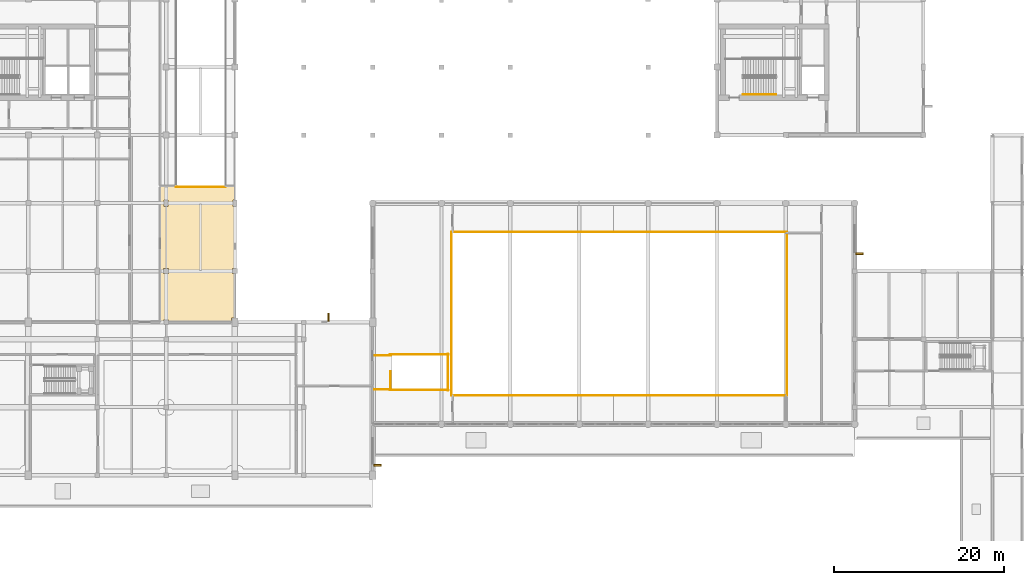
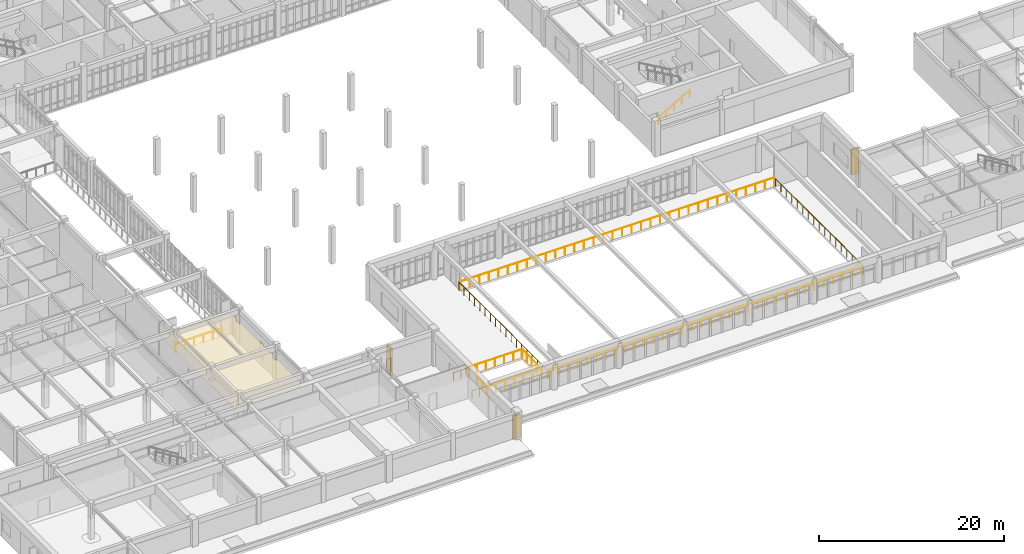
# One storey, part 55 of 61: 12 railings, 3 shading devices, 1 covering.
"""IFC4 building model written with IfcOpenShell, lengths in metres."""

import ifcopenshell
import ifcopenshell.guid

model = None  # the IFC model being written
_history = None  # IfcOwnerHistory: only IFC2X3 demands one
_inside = {}  # id of a spatial element -> (the spatial element, [elements in it])
_under = {}  # id of a project, library or spatial element -> (it, [spatial elements below it])
_declared = {}  # id of a project -> (the project, [libraries it declares])
_typed = {}  # id of a type object -> (the type object, [elements of that type])
_made_of = {}  # id of a material, layer set ... -> (it, [elements and type objects made of it])


def new_model(schema):
    """Start an empty IFC model of exactly this schema.

    Asked for "IFC4X3", IfcOpenShell would pick the latest addendum, in which some entities
    have other attributes; the version numbers below select the first issue.
    IFC2X3 requires an IfcOwnerHistory on every rooted entity: one is made here for all.
    """
    global model, _history
    if schema == "IFC4X3":
        model = ifcopenshell.file(schema_version=(4, 3, 0, 0))
    else:
        model = ifcopenshell.file(schema=schema)
    _inside.clear()
    _under.clear()
    _declared.clear()
    _typed.clear()
    _made_of.clear()
    _history = None
    if model.schema == "IFC2X3":
        org = make("IfcOrganization", Name="unknown")
        user = make(
            "IfcPersonAndOrganization",
            ThePerson=make("IfcPerson", FamilyName="unknown"),
            TheOrganization=org,
        )
        app = make(
            "IfcApplication",
            ApplicationDeveloper=org,
            Version="unknown",
            ApplicationFullName="unknown",
            ApplicationIdentifier="unknown",
        )
        _history = make(
            "IfcOwnerHistory",
            OwningUser=user,
            OwningApplication=app,
            ChangeAction="ADDED",
            CreationDate=0,
        )
    return model


def make(cls, **values):
    """One entity of the class cls with the attributes given. An attribute that is None is left unset."""
    return model.create_entity(
        cls, **{name: value for name, value in values.items() if value is not None}
    )


def rooted(cls, **values):
    """An entity with a GlobalId (a new one), such as an element, a storey or a relation."""
    return make(cls, GlobalId=ifcopenshell.guid.new(), OwnerHistory=_history, **values)


def si_unit(unit_type, name, prefix=None):
    """IfcSIUnit, for example si_unit("LENGTHUNIT", "METRE", prefix="MILLI")."""
    return make("IfcSIUnit", UnitType=unit_type, Prefix=prefix, Name=name)


def assignment(units):
    """IfcUnitAssignment: the units of a project."""
    return None if units is None else make("IfcUnitAssignment", Units=units)


def point(xyz):
    """IfcCartesianPoint."""
    return None if xyz is None else make("IfcCartesianPoint", Coordinates=xyz)


def direction(xyz):
    """IfcDirection."""
    return None if xyz is None else make("IfcDirection", DirectionRatios=xyz)


def frame(location, z_axis=None, x_axis=None):
    """IfcAxis2Placement3D, a coordinate frame: its origin and axes. An axis left out is left unset."""
    return make(
        "IfcAxis2Placement3D",
        Location=point(location),
        Axis=direction(z_axis),
        RefDirection=direction(x_axis),
    )


def frame_2d(location, x_axis=None):
    """IfcAxis2Placement2D, a coordinate frame in the plane: its origin and x axis."""
    return make(
        "IfcAxis2Placement2D", Location=point(location), RefDirection=direction(x_axis)
    )


def origin():
    """The frame at (0, 0, 0) with its axes left unset."""
    return frame((0.0, 0.0, 0.0))


def origin_2d():
    """The frame at (0, 0) in the plane with its x axis left unset."""
    return frame_2d((0.0, 0.0))


def place(relative_to, where):
    """IfcLocalPlacement: puts the frame where relative to a parent placement (None: the world)."""
    return make(
        "IfcLocalPlacement", PlacementRelTo=relative_to, RelativePlacement=where
    )


def context(
    kind, dimensions, precision=None, world=None, true_north=None, identifier=None
):
    """IfcGeometricRepresentationContext, for example the 3D "Model" context."""
    return make(
        "IfcGeometricRepresentationContext",
        ContextIdentifier=identifier,
        ContextType=kind,
        CoordinateSpaceDimension=dimensions,
        Precision=precision,
        WorldCoordinateSystem=world,
        TrueNorth=true_north,
    )


def subcontext(parent, identifier, kind, view, scale=None):
    """IfcGeometricRepresentationSubContext, for example "Body" below "Model"."""
    return make(
        "IfcGeometricRepresentationSubContext",
        ContextIdentifier=identifier,
        ContextType=kind,
        ParentContext=parent,
        TargetScale=scale,
        TargetView=view,
    )


def project(units=None, contexts=None):
    """IfcProject with its units and contexts."""
    return rooted(
        "IfcProject",
        Name="project",
        RepresentationContexts=contexts,
        UnitsInContext=assignment(units),
    )


def spatial(cls, under=None, at=None, **own):
    """A site, building, storey or space (cls), placed at a placement, below another one or the project."""
    s = rooted(cls, ObjectPlacement=at, **own)
    if under is not None:
        _under.setdefault(under.id(), (under, []))[1].append(s)
    return s


def polyline(points):
    """IfcPolyline through the points."""
    return make("IfcPolyline", Points=[point(p) for p in points])


def profile(cls, at=None, kind="AREA", **sizes):
    """A parametric profile (cls). Its sizes go by their IFC names, for example OverallWidth=200.0."""
    return make(cls, ProfileType=kind, Position=at, **sizes)


def rectangle(**sizes):
    """IfcRectangleProfileDef."""
    return profile("IfcRectangleProfileDef", **sizes)


def circle(**sizes):
    """IfcCircleProfileDef."""
    return profile("IfcCircleProfileDef", **sizes)


def outline(outer, holes=None, kind="AREA"):
    """IfcArbitraryClosedProfileDef: a profile drawn as a closed curve; with holes, ...WithVoids."""
    if holes is None:
        return make("IfcArbitraryClosedProfileDef", ProfileType=kind, OuterCurve=outer)
    return make(
        "IfcArbitraryProfileDefWithVoids",
        ProfileType=kind,
        OuterCurve=outer,
        InnerCurves=holes,
    )


def extrude(swept, where, along, depth):
    """IfcExtrudedAreaSolid: the profile swept, set in the frame where, extruded along a direction by depth."""
    return make(
        "IfcExtrudedAreaSolid",
        SweptArea=swept,
        Position=where,
        ExtrudedDirection=direction(along),
        Depth=depth,
    )


def shape(context_of_items, identifier, shape_type, items):
    """IfcShapeRepresentation: the items that make up one representation, for example the "Body"."""
    return make(
        "IfcShapeRepresentation",
        ContextOfItems=context_of_items,
        RepresentationIdentifier=identifier,
        RepresentationType=shape_type,
        Items=items,
    )


def material(Name=None, Category=None):
    """IfcMaterial."""
    return make("IfcMaterial", Name=Name, Category=Category)


def layer(
    of_material, thickness, ventilated=None, Name=None, Category=None, Priority=None
):
    """IfcMaterialLayer: one layer of a wall or slab, of a material (None: an air gap)."""
    return make(
        "IfcMaterialLayer",
        Material=of_material,
        LayerThickness=thickness,
        IsVentilated=ventilated,
        Name=Name,
        Category=Category,
        Priority=Priority,
    )


def layer_set(layers, Name=None):
    """IfcMaterialLayerSet."""
    return make("IfcMaterialLayerSet", MaterialLayers=layers, LayerSetName=Name)


def material_profile(
    of_material, cross_section, Name=None, Category=None, Priority=None
):
    """IfcMaterialProfile: a cross section and its material."""
    return make(
        "IfcMaterialProfile",
        Name=Name,
        Material=of_material,
        Profile=cross_section,
        Priority=Priority,
        Category=Category,
    )


def profile_set(profiles, Name=None, composite=None):
    """IfcMaterialProfileSet."""
    return make(
        "IfcMaterialProfileSet",
        Name=Name,
        MaterialProfiles=profiles,
        CompositeProfile=composite,
    )


def made_of(thing, what):
    """Note that an element or type object is made of a material, layer set ...; save() writes the relation."""
    if what is not None:
        _made_of.setdefault(what.id(), (what, []))[1].append(thing)
    return thing


def type_object(cls, material=None, **own):
    """A type object (cls), such as IfcWallType, which elements share."""
    return made_of(rooted(cls, **own), material)


def element(
    cls,
    number,
    at=None,
    inside=None,
    cuts=None,
    type_object=None,
    material=None,
    context=None,
    identifier="Body",
    shape_type=None,
    held_by="IfcProductDefinitionShape",
    body=None,
    shapes=None,
    **own,
):
    """One element of the class cls, such as IfcWall. Its Tag is "e" and its number.

    at: its placement. inside: the storey or other place that contains it. cuts: it is an
    opening in that element (IfcRelVoidsElement). A single representation is given by context,
    identifier, shape_type and body (its items); several are given by shapes. held_by: the class
    of the entity that holds the representations. save() writes the other relations.
    """
    e = rooted(cls, Tag="e%d" % number, ObjectPlacement=at, **own)
    if body is not None:
        shapes = [shape(context, identifier, shape_type, body)]
    if shapes is not None:
        e.Representation = make(held_by, Representations=shapes)
    if inside is not None:
        _inside.setdefault(inside.id(), (inside, []))[1].append(e)
    if cuts is not None:
        rooted(
            "IfcRelVoidsElement", RelatingBuildingElement=cuts, RelatedOpeningElement=e
        )
    if type_object is not None:
        _typed.setdefault(type_object.id(), (type_object, []))[1].append(e)
    return made_of(e, material)


def aggregate(whole, parts):
    """IfcRelAggregates: a whole, such as a stair, and the parts it consists of."""
    return rooted("IfcRelAggregates", RelatingObject=whole, RelatedObjects=parts)


def save(model, path):
    """Write the relations noted so far, then the file.

    IfcRelAggregates (storeys below a building ...), IfcRelContainedInSpatialStructure (elements
    in a storey), IfcRelDefinesByType, IfcRelAssociatesMaterial and IfcRelDeclares: one each for
    every whole, place, type object, material and project.
    """
    for whole, parts in _under.values():
        aggregate(whole, parts)
    for where, things in _inside.values():
        rooted(
            "IfcRelContainedInSpatialStructure",
            RelatedElements=things,
            RelatingStructure=where,
        )
    for kind, things in _typed.values():
        rooted("IfcRelDefinesByType", RelatedObjects=things, RelatingType=kind)
    for what, things in _made_of.values():
        rooted("IfcRelAssociatesMaterial", RelatedObjects=things, RelatingMaterial=what)
    for by, libraries in _declared.values():
        rooted("IfcRelDeclares", RelatingContext=by, RelatedDefinitions=libraries)
    model.write(path)


model = new_model("IFC4")

# Units and contexts
model_context = context("Model", 3, precision=1e-05, world=origin(), true_north=direction((0.0, 1.0)))
body_context = subcontext(model_context, "Body", "Model", "MODEL_VIEW")
ifc_project = project(units=[si_unit("LENGTHUNIT", "METRE"), si_unit("AREAUNIT", "SQUARE_METRE"), si_unit("VOLUMEUNIT", "CUBIC_METRE"), si_unit("PLANEANGLEUNIT", "RADIAN"), si_unit("MASSUNIT", "GRAM", prefix="KILO")], contexts=[model_context])

# Site, building, storey
site_placement = place(None, origin())
site = spatial("IfcSite", under=ifc_project, at=site_placement, CompositionType="ELEMENT")
building_placement = place(site_placement, origin())
building = spatial("IfcBuilding", under=site, at=building_placement, Name="Tarnveldt Square Police Headquarters", CompositionType="ELEMENT")
storey_placement = place(building_placement, frame((0.0, 0.0, 5.39990234375)))
storey = spatial("IfcBuildingStorey", under=building, at=storey_placement, Name="L01", CompositionType="ELEMENT", Elevation=5.39990234375)

# Covering
ifc_material_1 = material(Name="Mineral-fibre acoustic ceiling tile", Category="gypsum")
ifc_layer = layer(ifc_material_1, 0.02001953125)
ifc_layer_set = layer_set([ifc_layer], Name="Mineral-fibre acoustic ceiling tile")
covering_type = type_object("IfcCoveringType", Name="COV-CEIL-20", PredefinedType="CEILING", material=ifc_layer_set)
covering_placement = place(storey_placement, frame((0.0, 0.0, 2.75)))
element("IfcCovering", 1, at=covering_placement, inside=storey, type_object=covering_type, Name="Public Police Museum Reading Room Acoustic Ceiling", PredefinedType="CEILING", context=body_context, shape_type="SweptSolid", body=[
    extrude(outline(polyline([(48.550048828125, 34.501953125), (48.222900390625, 34.501953125), (48.222900390625, 34.050048828125), (40.777099609375, 34.050048828125), (40.777099609375, 34.277099609375), (40.222900390625, 34.277099609375), (40.222900390625, 34.050048828125), (39.85009765625, 34.050048828125), (39.85009765625, 49.949951171875), (48.550048828125, 49.949951171875), (48.550048828125, 48.376953125), (48.347900390625, 48.376953125), (48.347900390625, 47.623046875), (48.550048828125, 47.623046875), (48.550048828125, 40.302001953125), (48.298095703125, 40.302001953125), (48.298095703125, 39.697998046875), (48.550048828125, 39.697998046875), (48.550048828125, 34.501953125)]), holes=[polyline([(40.197998046875, 40.302001953125), (40.197998046875, 39.697998046875), (40.802001953125, 39.697998046875), (40.802001953125, 40.302001953125), (40.197998046875, 40.302001953125)]), polyline([(40.751953125, 48.376953125), (40.248046875, 48.376953125), (40.248046875, 47.623046875), (40.751953125, 47.623046875), (40.751953125, 48.376953125)])]), origin(), (0.0, 0.0, 1.0), 0.02001953125),
])

# Railings
ifc_material_2 = material(Name="Steel 350W", Category="steel")
railing_type_1 = type_object("IfcRailingType", Name="RL-GR-1100", PredefinedType="GUARDRAIL", material=ifc_material_2)
railing_1_placement = place(storey_placement, frame((66.89990234375, 26.050048828125, 0.0)))
element("IfcRailing", 2, at=railing_1_placement, inside=storey, type_object=railing_type_1, Name="L01 ST5 top well guard 1", PredefinedType="GUARDRAIL", context=body_context, shape_type="SweptSolid", body=[
    extrude(circle(Radius=0.02392578125, at=origin_2d()), frame((0.0, 0.0, 1.076171875), z_axis=(0.0, 1.0, 0.0), x_axis=(-1.0, 0.0, 0.0)), (0.0, 0.0, 1.0), 2.14990234375),
    extrude(circle(Radius=0.02099609375, at=origin_2d()), origin(), (0.0, 0.0, 1.0), 1.052001953125),
    extrude(circle(Radius=0.02099609375, at=origin_2d()), frame((0.0, 1.074951171875, 0.0)), (0.0, 0.0, 1.0), 1.052001953125),
    extrude(circle(Radius=0.02099609375, at=origin_2d()), frame((0.0, 2.14990234375, 0.0)), (0.0, 0.0, 1.0), 1.052001953125),
])
for number, where, name in (
    (3, (66.85009765625, 26.0, 0.0), "L01 ST5 top well guard 2"),
    (4, (66.85009765625, 30.199951171875, 0.0), "L01 ST5 top well guard 3"),
):
    element("IfcRailing", number, at=place(storey_placement, frame(where)), inside=storey, type_object=railing_type_1, Name=name, PredefinedType="GUARDRAIL", context=body_context, shape_type="SweptSolid", body=[
        extrude(circle(Radius=0.02392578125, at=origin_2d()), frame((0.0, 0.0, 1.076171875), z_axis=(1.0, 0.0, 0.0), x_axis=(0.0, 1.0, 0.0)), (0.0, 0.0, 1.0), 6.849853515625),
        extrude(circle(Radius=0.02099609375, at=origin_2d()), origin(), (0.0, 0.0, 1.0), 1.052001953125),
        extrude(circle(Radius=0.02099609375, at=origin_2d()), frame((1.1416015625, 0.0, 0.0)), (0.0, 0.0, 1.0), 1.052001953125),
        extrude(circle(Radius=0.02099609375, at=origin_2d()), frame((2.283203125, 0.0, 0.0)), (0.0, 0.0, 1.0), 1.052001953125),
        extrude(circle(Radius=0.02099609375, at=origin_2d()), frame((3.4248046875, 0.0, 0.0)), (0.0, 0.0, 1.0), 1.052001953125),
        extrude(circle(Radius=0.02099609375, at=origin_2d()), frame((4.566650390625, 0.0, 0.0)), (0.0, 0.0, 1.0), 1.052001953125),
        extrude(circle(Radius=0.02099609375, at=origin_2d()), frame((5.708251953125, 0.0, 0.0)), (0.0, 0.0, 1.0), 1.052001953125),
        extrude(circle(Radius=0.02099609375, at=origin_2d()), frame((6.849853515625, 0.0, 0.0)), (0.0, 0.0, 1.0), 1.052001953125),
    ])
railing_2_placement = place(storey_placement, frame((73.64990234375, 25.949951171875, 0.0)))
element("IfcRailing", 5, at=railing_2_placement, inside=storey, type_object=railing_type_1, Name="L01 ST5 top well guard 4", PredefinedType="GUARDRAIL", context=body_context, shape_type="SweptSolid", body=[
    extrude(circle(Radius=0.02392578125, at=origin_2d()), frame((0.0, 0.0, 1.076171875), z_axis=(0.0, 1.0, 0.0), x_axis=(-1.0, 0.0, 0.0)), (0.0, 0.0, 1.0), 4.300048828125),
    extrude(circle(Radius=0.02099609375, at=origin_2d()), origin(), (0.0, 0.0, 1.0), 1.052001953125),
    extrude(circle(Radius=0.02099609375, at=origin_2d()), frame((0.0, 1.074951171875, 0.0)), (0.0, 0.0, 1.0), 1.052001953125),
    extrude(circle(Radius=0.02099609375, at=origin_2d()), frame((0.0, 2.14990234375, 0.0)), (0.0, 0.0, 1.0), 1.052001953125),
    extrude(circle(Radius=0.02099609375, at=origin_2d()), frame((0.0, 3.22509765625, 0.0)), (0.0, 0.0, 1.0), 1.052001953125),
    extrude(circle(Radius=0.02099609375, at=origin_2d()), frame((0.0, 4.300048828125, 0.0)), (0.0, 0.0, 1.0), 1.052001953125),
])
for number, where, name in (
    (6, (65.0, 26.10009765625, 0.0), "L01 ST5 top well guard 5"),
    (7, (65.0, 30.10009765625, 0.0), "L01 ST5 top well guard 6"),
):
    element("IfcRailing", number, at=place(storey_placement, frame(where)), inside=storey, type_object=railing_type_1, Name=name, PredefinedType="GUARDRAIL", context=body_context, shape_type="SweptSolid", body=[
        extrude(circle(Radius=0.02392578125, at=origin_2d()), frame((0.0, 0.0, 1.076171875), z_axis=(1.0, 0.0, 0.0), x_axis=(0.0, 1.0, 0.0)), (0.0, 0.0, 1.0), 1.949951171875),
        extrude(circle(Radius=0.02099609375, at=origin_2d()), origin(), (0.0, 0.0, 1.0), 1.052001953125),
        extrude(circle(Radius=0.02099609375, at=origin_2d()), frame((0.97509765625, 0.0, 0.0)), (0.0, 0.0, 1.0), 1.052001953125),
        extrude(circle(Radius=0.02099609375, at=origin_2d()), frame((1.949951171875, 0.0, 0.0)), (0.0, 0.0, 1.0), 1.052001953125),
    ])
railing_3_placement = place(storey_placement, frame((74.280029296875, 25.3798828125, 0.0)))
element("IfcRailing", 8, at=railing_3_placement, inside=storey, type_object=railing_type_1, Name="L01 V1-ATRIUM Atrium Overlook Guardrail S2", PredefinedType="GUARDRAIL", context=body_context, shape_type="SweptSolid", body=[
    extrude(circle(Radius=0.02392578125, at=origin_2d()), frame((0.0, 0.0, 1.076171875), z_axis=(1.0, 0.0, 0.0), x_axis=(0.0, 1.0, 0.0)), (0.0, 0.0, 1.0), 39.070068359375),
    extrude(circle(Radius=0.02099609375, at=origin_2d()), origin(), (0.0, 0.0, 1.0), 1.052001953125),
    extrude(circle(Radius=0.02099609375, at=origin_2d()), frame((1.183837890625, 0.0, 0.0)), (0.0, 0.0, 1.0), 1.052001953125),
    extrude(circle(Radius=0.02099609375, at=origin_2d()), frame((2.367919921875, 0.0, 0.0)), (0.0, 0.0, 1.0), 1.052001953125),
    extrude(circle(Radius=0.02099609375, at=origin_2d()), frame((3.5517578125, 0.0, 0.0)), (0.0, 0.0, 1.0), 1.052001953125),
    extrude(circle(Radius=0.02099609375, at=origin_2d()), frame((4.73583984375, 0.0, 0.0)), (0.0, 0.0, 1.0), 1.052001953125),
    extrude(circle(Radius=0.02099609375, at=origin_2d()), frame((5.919677734375, 0.0, 0.0)), (0.0, 0.0, 1.0), 1.052001953125),
    extrude(circle(Radius=0.02099609375, at=origin_2d()), frame((7.103759765625, 0.0, 0.0)), (0.0, 0.0, 1.0), 1.052001953125),
    extrude(circle(Radius=0.02099609375, at=origin_2d()), frame((8.28759765625, 0.0, 0.0)), (0.0, 0.0, 1.0), 1.052001953125),
    extrude(circle(Radius=0.02099609375, at=origin_2d()), frame((9.471435546875, 0.0, 0.0)), (0.0, 0.0, 1.0), 1.052001953125),
    extrude(circle(Radius=0.02099609375, at=origin_2d()), frame((10.655517578125, 0.0, 0.0)), (0.0, 0.0, 1.0), 1.052001953125),
    extrude(circle(Radius=0.02099609375, at=origin_2d()), frame((11.83935546875, 0.0, 0.0)), (0.0, 0.0, 1.0), 1.052001953125),
    extrude(circle(Radius=0.02099609375, at=origin_2d()), frame((13.0234375, 0.0, 0.0)), (0.0, 0.0, 1.0), 1.052001953125),
    extrude(circle(Radius=0.02099609375, at=origin_2d()), frame((14.207275390625, 0.0, 0.0)), (0.0, 0.0, 1.0), 1.052001953125),
    extrude(circle(Radius=0.02099609375, at=origin_2d()), frame((15.391357421875, 0.0, 0.0)), (0.0, 0.0, 1.0), 1.052001953125),
    extrude(circle(Radius=0.02099609375, at=origin_2d()), frame((16.5751953125, 0.0, 0.0)), (0.0, 0.0, 1.0), 1.052001953125),
    extrude(circle(Radius=0.02099609375, at=origin_2d()), frame((17.759033203125, 0.0, 0.0)), (0.0, 0.0, 1.0), 1.052001953125),
    extrude(circle(Radius=0.02099609375, at=origin_2d()), frame((18.943115234375, 0.0, 0.0)), (0.0, 0.0, 1.0), 1.052001953125),
    extrude(circle(Radius=0.02099609375, at=origin_2d()), frame((20.126953125, 0.0, 0.0)), (0.0, 0.0, 1.0), 1.052001953125),
    extrude(circle(Radius=0.02099609375, at=origin_2d()), frame((21.31103515625, 0.0, 0.0)), (0.0, 0.0, 1.0), 1.052001953125),
    extrude(circle(Radius=0.02099609375, at=origin_2d()), frame((22.494873046875, 0.0, 0.0)), (0.0, 0.0, 1.0), 1.052001953125),
    extrude(circle(Radius=0.02099609375, at=origin_2d()), frame((23.6787109375, 0.0, 0.0)), (0.0, 0.0, 1.0), 1.052001953125),
    extrude(circle(Radius=0.02099609375, at=origin_2d()), frame((24.86279296875, 0.0, 0.0)), (0.0, 0.0, 1.0), 1.052001953125),
    extrude(circle(Radius=0.02099609375, at=origin_2d()), frame((26.046630859375, 0.0, 0.0)), (0.0, 0.0, 1.0), 1.052001953125),
    extrude(circle(Radius=0.02099609375, at=origin_2d()), frame((27.230712890625, 0.0, 0.0)), (0.0, 0.0, 1.0), 1.052001953125),
    extrude(circle(Radius=0.02099609375, at=origin_2d()), frame((28.41455078125, 0.0, 0.0)), (0.0, 0.0, 1.0), 1.052001953125),
    extrude(circle(Radius=0.02099609375, at=origin_2d()), frame((29.5986328125, 0.0, 0.0)), (0.0, 0.0, 1.0), 1.052001953125),
    extrude(circle(Radius=0.02099609375, at=origin_2d()), frame((30.782470703125, 0.0, 0.0)), (0.0, 0.0, 1.0), 1.052001953125),
    extrude(circle(Radius=0.02099609375, at=origin_2d()), frame((31.96630859375, 0.0, 0.0)), (0.0, 0.0, 1.0), 1.052001953125),
    extrude(circle(Radius=0.02099609375, at=origin_2d()), frame((33.150390625, 0.0, 0.0)), (0.0, 0.0, 1.0), 1.052001953125),
    extrude(circle(Radius=0.02099609375, at=origin_2d()), frame((34.334228515625, 0.0, 0.0)), (0.0, 0.0, 1.0), 1.052001953125),
    extrude(circle(Radius=0.02099609375, at=origin_2d()), frame((35.518310546875, 0.0, 0.0)), (0.0, 0.0, 1.0), 1.052001953125),
    extrude(circle(Radius=0.02099609375, at=origin_2d()), frame((36.7021484375, 0.0, 0.0)), (0.0, 0.0, 1.0), 1.052001953125),
    extrude(circle(Radius=0.02099609375, at=origin_2d()), frame((37.88623046875, 0.0, 0.0)), (0.0, 0.0, 1.0), 1.052001953125),
    extrude(circle(Radius=0.02099609375, at=origin_2d()), frame((39.070068359375, 0.0, 0.0)), (0.0, 0.0, 1.0), 1.052001953125),
])
railing_4_placement = place(storey_placement, frame((113.52001953125, 25.3798828125, 0.0)))
element("IfcRailing", 9, at=railing_4_placement, inside=storey, type_object=railing_type_1, Name="L01 V1-ATRIUM Atrium Overlook Guardrail E1", PredefinedType="GUARDRAIL", context=body_context, shape_type="SweptSolid", body=[
    extrude(circle(Radius=0.02392578125, at=origin_2d()), frame((0.0, 0.0, 1.076171875), z_axis=(0.0, 1.0, 0.0), x_axis=(-1.0, 0.0, 0.0)), (0.0, 0.0, 1.0), 19.0400390625),
    extrude(circle(Radius=0.02099609375, at=origin_2d()), origin(), (0.0, 0.0, 1.0), 1.052001953125),
    extrude(circle(Radius=0.02099609375, at=origin_2d()), frame((0.0, 1.18994140625, 0.0)), (0.0, 0.0, 1.0), 1.052001953125),
    extrude(circle(Radius=0.02099609375, at=origin_2d()), frame((0.0, 2.3798828125, 0.0)), (0.0, 0.0, 1.0), 1.052001953125),
    extrude(circle(Radius=0.02099609375, at=origin_2d()), frame((0.0, 3.570068359375, 0.0)), (0.0, 0.0, 1.0), 1.052001953125),
    extrude(circle(Radius=0.02099609375, at=origin_2d()), frame((0.0, 4.760009765625, 0.0)), (0.0, 0.0, 1.0), 1.052001953125),
    extrude(circle(Radius=0.02099609375, at=origin_2d()), frame((0.0, 5.949951171875, 0.0)), (0.0, 0.0, 1.0), 1.052001953125),
    extrude(circle(Radius=0.02099609375, at=origin_2d()), frame((0.0, 7.14013671875, 0.0)), (0.0, 0.0, 1.0), 1.052001953125),
    extrude(circle(Radius=0.02099609375, at=origin_2d()), frame((0.0, 8.330078125, 0.0)), (0.0, 0.0, 1.0), 1.052001953125),
    extrude(circle(Radius=0.02099609375, at=origin_2d()), frame((0.0, 9.52001953125, 0.0)), (0.0, 0.0, 1.0), 1.052001953125),
    extrude(circle(Radius=0.02099609375, at=origin_2d()), frame((0.0, 10.7099609375, 0.0)), (0.0, 0.0, 1.0), 1.052001953125),
    extrude(circle(Radius=0.02099609375, at=origin_2d()), frame((0.0, 11.89990234375, 0.0)), (0.0, 0.0, 1.0), 1.052001953125),
    extrude(circle(Radius=0.02099609375, at=origin_2d()), frame((0.0, 13.090087890625, 0.0)), (0.0, 0.0, 1.0), 1.052001953125),
    extrude(circle(Radius=0.02099609375, at=origin_2d()), frame((0.0, 14.280029296875, 0.0)), (0.0, 0.0, 1.0), 1.052001953125),
    extrude(circle(Radius=0.02099609375, at=origin_2d()), frame((0.0, 15.469970703125, 0.0)), (0.0, 0.0, 1.0), 1.052001953125),
    extrude(circle(Radius=0.02099609375, at=origin_2d()), frame((0.0, 16.66015625, 0.0)), (0.0, 0.0, 1.0), 1.052001953125),
    extrude(circle(Radius=0.02099609375, at=origin_2d()), frame((0.0, 17.85009765625, 0.0)), (0.0, 0.0, 1.0), 1.052001953125),
    extrude(circle(Radius=0.02099609375, at=origin_2d()), frame((0.0, 19.0400390625, 0.0)), (0.0, 0.0, 1.0), 1.052001953125),
])
railing_5_placement = place(storey_placement, frame((113.52001953125, 44.6201171875, 0.0)))
element("IfcRailing", 10, at=railing_5_placement, inside=storey, type_object=railing_type_1, Name="L01 V1-ATRIUM Atrium Overlook Guardrail N1", PredefinedType="GUARDRAIL", context=body_context, shape_type="SweptSolid", body=[
    extrude(circle(Radius=0.02392578125, at=origin_2d()), frame((0.0, 0.0, 1.076171875), z_axis=(-1.0, 0.0, 0.0), x_axis=(0.0, -1.0, 0.0)), (0.0, 0.0, 1.0), 39.239990234375),
    extrude(circle(Radius=0.02099609375, at=origin_2d()), origin(), (0.0, 0.0, 1.0), 1.052001953125),
    extrude(circle(Radius=0.02099609375, at=origin_2d()), frame((-1.189208984375, 0.0, 0.0)), (0.0, 0.0, 1.0), 1.052001953125),
    extrude(circle(Radius=0.02099609375, at=origin_2d()), frame((-2.378173828125, 0.0, 0.0)), (0.0, 0.0, 1.0), 1.052001953125),
    extrude(circle(Radius=0.02099609375, at=origin_2d()), frame((-3.5673828125, 0.0, 0.0)), (0.0, 0.0, 1.0), 1.052001953125),
    extrude(circle(Radius=0.02099609375, at=origin_2d()), frame((-4.75634765625, 0.0, 0.0)), (0.0, 0.0, 1.0), 1.052001953125),
    extrude(circle(Radius=0.02099609375, at=origin_2d()), frame((-5.945556640625, 0.0, 0.0)), (0.0, 0.0, 1.0), 1.052001953125),
    extrude(circle(Radius=0.02099609375, at=origin_2d()), frame((-7.134521484375, 0.0, 0.0)), (0.0, 0.0, 1.0), 1.052001953125),
    extrude(circle(Radius=0.02099609375, at=origin_2d()), frame((-8.32373046875, 0.0, 0.0)), (0.0, 0.0, 1.0), 1.052001953125),
    extrude(circle(Radius=0.02099609375, at=origin_2d()), frame((-9.5126953125, 0.0, 0.0)), (0.0, 0.0, 1.0), 1.052001953125),
    extrude(circle(Radius=0.02099609375, at=origin_2d()), frame((-10.701904296875, 0.0, 0.0)), (0.0, 0.0, 1.0), 1.052001953125),
    extrude(circle(Radius=0.02099609375, at=origin_2d()), frame((-11.890869140625, 0.0, 0.0)), (0.0, 0.0, 1.0), 1.052001953125),
    extrude(circle(Radius=0.02099609375, at=origin_2d()), frame((-13.080078125, 0.0, 0.0)), (0.0, 0.0, 1.0), 1.052001953125),
    extrude(circle(Radius=0.02099609375, at=origin_2d()), frame((-14.26904296875, 0.0, 0.0)), (0.0, 0.0, 1.0), 1.052001953125),
    extrude(circle(Radius=0.02099609375, at=origin_2d()), frame((-15.458251953125, 0.0, 0.0)), (0.0, 0.0, 1.0), 1.052001953125),
    extrude(circle(Radius=0.02099609375, at=origin_2d()), frame((-16.647216796875, 0.0, 0.0)), (0.0, 0.0, 1.0), 1.052001953125),
    extrude(circle(Radius=0.02099609375, at=origin_2d()), frame((-17.83642578125, 0.0, 0.0)), (0.0, 0.0, 1.0), 1.052001953125),
    extrude(circle(Radius=0.02099609375, at=origin_2d()), frame((-19.025390625, 0.0, 0.0)), (0.0, 0.0, 1.0), 1.052001953125),
    extrude(circle(Radius=0.02099609375, at=origin_2d()), frame((-20.214599609375, 0.0, 0.0)), (0.0, 0.0, 1.0), 1.052001953125),
    extrude(circle(Radius=0.02099609375, at=origin_2d()), frame((-21.403564453125, 0.0, 0.0)), (0.0, 0.0, 1.0), 1.052001953125),
    extrude(circle(Radius=0.02099609375, at=origin_2d()), frame((-22.5927734375, 0.0, 0.0)), (0.0, 0.0, 1.0), 1.052001953125),
    extrude(circle(Radius=0.02099609375, at=origin_2d()), frame((-23.78173828125, 0.0, 0.0)), (0.0, 0.0, 1.0), 1.052001953125),
    extrude(circle(Radius=0.02099609375, at=origin_2d()), frame((-24.970947265625, 0.0, 0.0)), (0.0, 0.0, 1.0), 1.052001953125),
    extrude(circle(Radius=0.02099609375, at=origin_2d()), frame((-26.159912109375, 0.0, 0.0)), (0.0, 0.0, 1.0), 1.052001953125),
    extrude(circle(Radius=0.02099609375, at=origin_2d()), frame((-27.34912109375, 0.0, 0.0)), (0.0, 0.0, 1.0), 1.052001953125),
    extrude(circle(Radius=0.02099609375, at=origin_2d()), frame((-28.5380859375, 0.0, 0.0)), (0.0, 0.0, 1.0), 1.052001953125),
    extrude(circle(Radius=0.02099609375, at=origin_2d()), frame((-29.727294921875, 0.0, 0.0)), (0.0, 0.0, 1.0), 1.052001953125),
    extrude(circle(Radius=0.02099609375, at=origin_2d()), frame((-30.916259765625, 0.0, 0.0)), (0.0, 0.0, 1.0), 1.052001953125),
    extrude(circle(Radius=0.02099609375, at=origin_2d()), frame((-32.10546875, 0.0, 0.0)), (0.0, 0.0, 1.0), 1.052001953125),
    extrude(circle(Radius=0.02099609375, at=origin_2d()), frame((-33.29443359375, 0.0, 0.0)), (0.0, 0.0, 1.0), 1.052001953125),
    extrude(circle(Radius=0.02099609375, at=origin_2d()), frame((-34.483642578125, 0.0, 0.0)), (0.0, 0.0, 1.0), 1.052001953125),
    extrude(circle(Radius=0.02099609375, at=origin_2d()), frame((-35.672607421875, 0.0, 0.0)), (0.0, 0.0, 1.0), 1.052001953125),
    extrude(circle(Radius=0.02099609375, at=origin_2d()), frame((-36.86181640625, 0.0, 0.0)), (0.0, 0.0, 1.0), 1.052001953125),
    extrude(circle(Radius=0.02099609375, at=origin_2d()), frame((-38.05078125, 0.0, 0.0)), (0.0, 0.0, 1.0), 1.052001953125),
    extrude(circle(Radius=0.02099609375, at=origin_2d()), frame((-39.239990234375, 0.0, 0.0)), (0.0, 0.0, 1.0), 1.052001953125),
])
railing_6_placement = place(storey_placement, frame((74.080078125, 44.6201171875, 0.0)))
element("IfcRailing", 11, at=railing_6_placement, inside=storey, type_object=railing_type_1, Name="L01 V1-ATRIUM Atrium Overlook Guardrail W1", PredefinedType="GUARDRAIL", context=body_context, shape_type="SweptSolid", body=[
    extrude(circle(Radius=0.02392578125, at=origin_2d()), frame((0.0, 0.0, 1.076171875), z_axis=(0.0, -1.0, 0.0), x_axis=(1.0, 0.0, 0.0)), (0.0, 0.0, 1.0), 19.240234375),
    extrude(circle(Radius=0.02099609375, at=origin_2d()), origin(), (0.0, 0.0, 1.0), 1.052001953125),
    extrude(circle(Radius=0.02099609375, at=origin_2d()), frame((0.0, -1.1318359375, 0.0)), (0.0, 0.0, 1.0), 1.052001953125),
    extrude(circle(Radius=0.02099609375, at=origin_2d()), frame((0.0, -2.263671875, 0.0)), (0.0, 0.0, 1.0), 1.052001953125),
    extrude(circle(Radius=0.02099609375, at=origin_2d()), frame((0.0, -3.395263671875, 0.0)), (0.0, 0.0, 1.0), 1.052001953125),
    extrude(circle(Radius=0.02099609375, at=origin_2d()), frame((0.0, -4.527099609375, 0.0)), (0.0, 0.0, 1.0), 1.052001953125),
    extrude(circle(Radius=0.02099609375, at=origin_2d()), frame((0.0, -5.658935546875, 0.0)), (0.0, 0.0, 1.0), 1.052001953125),
    extrude(circle(Radius=0.02099609375, at=origin_2d()), frame((0.0, -6.790771484375, 0.0)), (0.0, 0.0, 1.0), 1.052001953125),
    extrude(circle(Radius=0.02099609375, at=origin_2d()), frame((0.0, -7.92236328125, 0.0)), (0.0, 0.0, 1.0), 1.052001953125),
    extrude(circle(Radius=0.02099609375, at=origin_2d()), frame((0.0, -9.05419921875, 0.0)), (0.0, 0.0, 1.0), 1.052001953125),
    extrude(circle(Radius=0.02099609375, at=origin_2d()), frame((0.0, -10.18603515625, 0.0)), (0.0, 0.0, 1.0), 1.052001953125),
    extrude(circle(Radius=0.02099609375, at=origin_2d()), frame((0.0, -11.31787109375, 0.0)), (0.0, 0.0, 1.0), 1.052001953125),
    extrude(circle(Radius=0.02099609375, at=origin_2d()), frame((0.0, -12.449462890625, 0.0)), (0.0, 0.0, 1.0), 1.052001953125),
    extrude(circle(Radius=0.02099609375, at=origin_2d()), frame((0.0, -13.581298828125, 0.0)), (0.0, 0.0, 1.0), 1.052001953125),
    extrude(circle(Radius=0.02099609375, at=origin_2d()), frame((0.0, -14.713134765625, 0.0)), (0.0, 0.0, 1.0), 1.052001953125),
    extrude(circle(Radius=0.02099609375, at=origin_2d()), frame((0.0, -15.844970703125, 0.0)), (0.0, 0.0, 1.0), 1.052001953125),
    extrude(circle(Radius=0.02099609375, at=origin_2d()), frame((0.0, -16.9765625, 0.0)), (0.0, 0.0, 1.0), 1.052001953125),
    extrude(circle(Radius=0.02099609375, at=origin_2d()), frame((0.0, -18.1083984375, 0.0)), (0.0, 0.0, 1.0), 1.052001953125),
    extrude(circle(Radius=0.02099609375, at=origin_2d()), frame((0.0, -19.240234375, 0.0)), (0.0, 0.0, 1.0), 1.052001953125),
])
railing_7_placement = place(storey_placement, frame((41.679931640625, 49.8798828125, 0.0)))
element("IfcRailing", 12, at=railing_7_placement, inside=storey, type_object=railing_type_1, Name="L01 WG-ATRIUM-1 Atrium Overlook Guardrail S1", PredefinedType="GUARDRAIL", context=body_context, shape_type="SweptSolid", body=[
    extrude(circle(Radius=0.02392578125, at=origin_2d()), frame((0.0, 0.0, 1.076171875), z_axis=(1.0, 0.0, 0.0), x_axis=(0.0, 1.0, 0.0)), (0.0, 0.0, 1.0), 5.840087890625),
    extrude(circle(Radius=0.02099609375, at=origin_2d()), origin(), (0.0, 0.0, 1.0), 1.052001953125),
    extrude(circle(Radius=0.02099609375, at=origin_2d()), frame((1.16796875, 0.0, 0.0)), (0.0, 0.0, 1.0), 1.052001953125),
    extrude(circle(Radius=0.02099609375, at=origin_2d()), frame((2.3359375, 0.0, 0.0)), (0.0, 0.0, 1.0), 1.052001953125),
    extrude(circle(Radius=0.02099609375, at=origin_2d()), frame((3.504150390625, 0.0, 0.0)), (0.0, 0.0, 1.0), 1.052001953125),
    extrude(circle(Radius=0.02099609375, at=origin_2d()), frame((4.672119140625, 0.0, 0.0)), (0.0, 0.0, 1.0), 1.052001953125),
    extrude(circle(Radius=0.02099609375, at=origin_2d()), frame((5.840087890625, 0.0, 0.0)), (0.0, 0.0, 1.0), 1.052001953125),
])
railing_type_2 = type_object("IfcRailingType", Name="RL-HR-900", PredefinedType="HANDRAIL", material=ifc_material_2)
railing_8_placement = place(storey_placement, frame((108.3701171875, 60.77001953125, 0.171630859375)))
element("IfcRailing", 13, at=railing_8_placement, inside=storey, type_object=railing_type_2, Name="L01 ST4 stair handrail 1", PredefinedType="HANDRAIL", context=body_context, shape_type="SweptSolid", body=[
    extrude(circle(Radius=0.02392578125, at=origin_2d()), frame((0.0, 0.0, 0.8759765625), z_axis=(0.868243142124, 0.0, 0.496138938357), x_axis=(0.0, 1.0, 0.0)), (0.0, 0.0, 1.0), 4.49169921875),
    extrude(circle(Radius=0.02099609375, at=origin_2d()), origin(), (0.0, 0.0, 1.0), 0.851806640625),
    extrude(circle(Radius=0.02099609375, at=origin_2d()), frame((0.97509765625, 0.0, 0.55712890625)), (0.0, 0.0, 1.0), 0.851806640625),
    extrude(circle(Radius=0.02099609375, at=origin_2d()), frame((1.949951171875, 0.0, 1.1142578125)), (0.0, 0.0, 1.0), 0.851806640625),
    extrude(circle(Radius=0.02099609375, at=origin_2d()), frame((2.9248046875, 0.0, 1.67138671875)), (0.0, 0.0, 1.0), 0.851806640625),
    extrude(circle(Radius=0.02099609375, at=origin_2d()), frame((3.89990234375, 0.0, 2.228515625)), (0.0, 0.0, 1.0), 0.851806640625),
])

# Shading devices
ifc_material_3 = material(Name="Precast concrete 35 MPa", Category="concrete")
ifc_material_profile = material_profile(ifc_material_3, rectangle(XDim=0.219970703125, YDim=0.89990234375, at=origin_2d()), Name="PC-FIN220x900")
ifc_profile_set = profile_set([ifc_material_profile], Name="Precast concrete 35 MPa")
shading_device_type = type_object("IfcShadingDeviceType", Name="SHD-FIN-900", PredefinedType="USERDEFINED", material=ifc_profile_set)
shading_device_1_placement = place(storey_placement, frame((65.3798828125, 17.14990234375, 0.150146484375), z_axis=(0.0, 0.0, 1.0), x_axis=(0.0, 1.0, 0.0)))
element("IfcShadingDevice", 14, at=shading_device_1_placement, inside=storey, type_object=shading_device_type, Name="L01 Precast Deep-Reveal Brutalist Fin 008", ObjectType="SOLAR SHADING FIN", PredefinedType="USERDEFINED", context=body_context, shape_type="SweptSolid", body=[
    extrude(rectangle(XDim=0.219970703125, YDim=0.89990234375, at=origin_2d()), origin(), (0.0, 0.0, 1.0), 3.112060546875),
])
shading_device_2_placement = place(storey_placement, frame((122.080078125, 42.050048828125, 0.150146484375), z_axis=(0.0, 0.0, 1.0), x_axis=(0.0, 1.0, 0.0)))
element("IfcShadingDevice", 15, at=shading_device_2_placement, inside=storey, type_object=shading_device_type, Name="L01 Precast Deep-Reveal Brutalist Fin 009", ObjectType="SOLAR SHADING FIN", PredefinedType="USERDEFINED", context=body_context, shape_type="SweptSolid", body=[
    extrude(rectangle(XDim=0.219970703125, YDim=0.89990234375, at=origin_2d()), origin(), (0.0, 0.0, 1.0), 3.380859375),
])
shading_device_3_placement = place(storey_placement, frame((59.60009765625, 34.580078125, 0.150146484375), z_axis=(0.0, 0.0, 1.0), x_axis=(-1.0, 0.0, 0.0)))
element("IfcShadingDevice", 16, at=shading_device_3_placement, inside=storey, type_object=shading_device_type, Name="L01 Precast Deep-Reveal Brutalist Fin 010", ObjectType="SOLAR SHADING FIN", PredefinedType="USERDEFINED", context=body_context, shape_type="SweptSolid", body=[
    extrude(rectangle(XDim=0.219970703125, YDim=0.89990234375, at=origin_2d()), origin(), (0.0, 0.0, 1.0), 3.612060546875),
])

save(model, "model.ifc")
